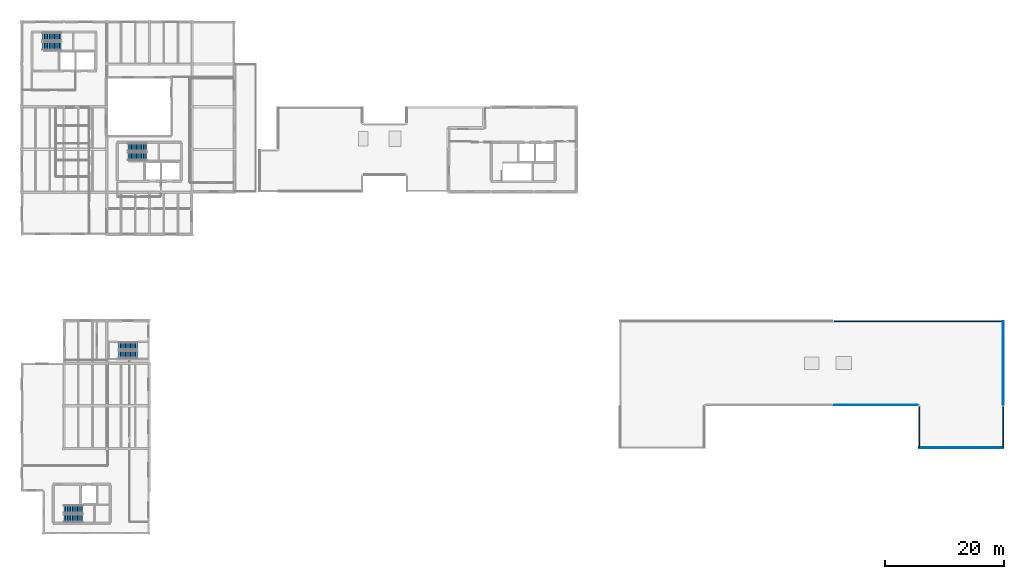
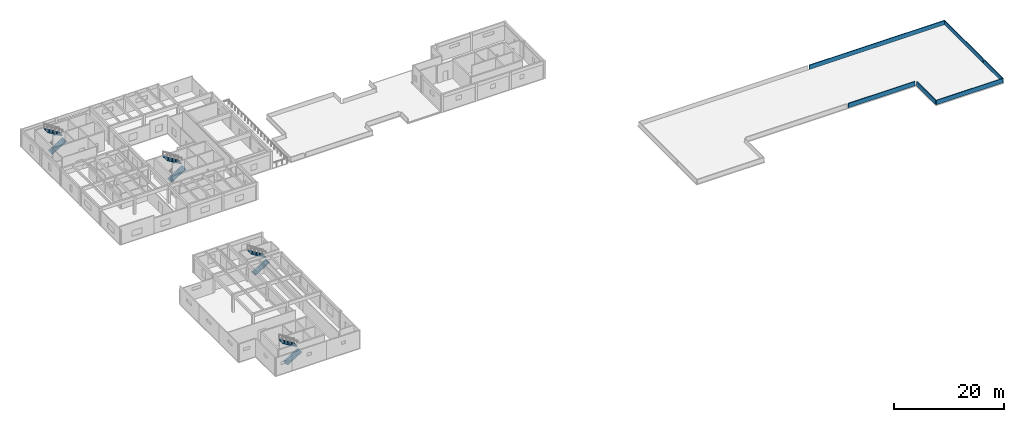
# One storey, part 11 of 15: 8 stair flights, 6 walls, 4 elements without a shape of their own.
"""IFC4 building model written with IfcOpenShell, lengths in metres."""

from ifc_helpers import new_model, si_unit, direction, frame, frame_2d, origin, place, context, subcontext, project, spatial, polyline, rectangle, outline, extrude, material, layer, layer_set, type_object, element, aggregate, save


model = new_model("IFC4")

# Units and contexts
model_context = context("Model", 3, precision=1e-05, world=origin(), true_north=direction((0.0, 1.0)))
body_context = subcontext(model_context, "Body", "Model", "MODEL_VIEW")
ifc_project = project(units=[si_unit("LENGTHUNIT", "METRE"), si_unit("AREAUNIT", "SQUARE_METRE"), si_unit("VOLUMEUNIT", "CUBIC_METRE"), si_unit("PLANEANGLEUNIT", "RADIAN"), si_unit("MASSUNIT", "GRAM", prefix="KILO")], contexts=[model_context])

# Site, building, storey
site_placement = place(None, origin())
site = spatial("IfcSite", under=ifc_project, at=site_placement, CompositionType="ELEMENT")
building_placement = place(site_placement, origin())
building = spatial("IfcBuilding", under=site, at=building_placement, Name="Bramvelor Terrace Health Centre", CompositionType="ELEMENT")
storey_placement = place(building_placement, frame((0.0, 0.0, 13.5)))
storey = spatial("IfcBuildingStorey", under=building, at=storey_placement, Name="L04", CompositionType="ELEMENT", Elevation=13.5)

# Walls
ifc_material_1 = material(Name="Precast concrete C40/50", Category="concrete")
ifc_layer_1 = layer(ifc_material_1, 0.155029296875)
ifc_layer_set_1 = layer_set([ifc_layer_1], Name="Precast concrete C40/50")
wall_type_1 = type_object("IfcWallType", Name="WL-PAR-155", PredefinedType="PARAPET", material=ifc_layer_set_1)
wall_1_placement = place(storey_placement, frame((151.0400390625, 50.5400390625, 0.0), z_axis=(0.0, 0.0, 1.0), x_axis=(-1.0, 0.0, 0.0)))
element("IfcWall", 1, at=wall_1_placement, inside=storey, type_object=wall_type_1, Name="L04 Roof Parapet Upstand 7", PredefinedType="PARAPET", context=body_context, shape_type="SweptSolid", body=[
    extrude(rectangle(XDim=14.080078125, YDim=0.155029296875, at=frame_2d((7.0400390625, 0.0))), origin(), (0.0, 0.0, 1.0), 0.949951171875),
])
for number, where, z_axis, x_axis, name in (
    (2, (165.4599609375, 64.639892578125, 0.0), (0.0, 0.0, 1.0), (0.0, -1.0, 0.0), "L04 Roof Parapet Upstand 15"),
    (3, (165.43994140625, 43.340087890625, 0.0), (0.0, 0.0, 1.0), (-1.0, 0.0, 0.0), "L04 Roof Parapet Upstand 17"),
):
    element("IfcWall", number, at=place(storey_placement, frame(where, z_axis=z_axis, x_axis=x_axis)), inside=storey, type_object=wall_type_1, Name=name, PredefinedType="PARAPET", context=body_context, shape_type="SweptSolid", body=[
        extrude(rectangle(XDim=14.079833984375, YDim=0.155029296875, at=frame_2d((7.0400390625, 0.0))), origin(), (0.0, 0.0, 1.0), 0.949951171875),
    ])
ifc_material_2 = material(Name="Precast concrete C40/50", Category="concrete")
ifc_layer_2 = layer(ifc_material_2, 0.175048828125)
ifc_layer_set_2 = layer_set([ifc_layer_2], Name="Precast concrete C40/50")
wall_type_2 = type_object("IfcWallType", Name="WL-PAR-175", PredefinedType="PARAPET", material=ifc_layer_set_2)
wall_2_placement = place(storey_placement, frame((136.9599609375, 64.659912109375, 0.0), z_axis=(0.0, 0.0, 1.0), x_axis=(1.0, 0.0, 0.0)))
element("IfcWall", 4, at=wall_2_placement, inside=storey, type_object=wall_type_2, Name="L04 Roof Parapet Upstand 14", PredefinedType="PARAPET", context=body_context, shape_type="SweptSolid", body=[
    extrude(rectangle(XDim=28.47998046875, YDim=0.175048828125, at=frame_2d((14.239990234375, 0.0))), origin(), (0.0, 0.0, 1.0), 0.949951171875),
])
for number, where, z_axis, x_axis, name in (
    (5, (165.4599609375, 50.239990234375, 0.0), (0.0, 0.0, 1.0), (0.0, -1.0, 0.0), "L04 Roof Parapet Upstand 16"),
    (6, (151.340087890625, 43.360107421875, 0.0), (0.0, 0.0, 1.0), (0.0, 1.0, 0.0), "L04 Roof Parapet Upstand 18"),
):
    element("IfcWall", number, at=place(storey_placement, frame(where, z_axis=z_axis, x_axis=x_axis)), inside=storey, type_object=wall_type_2, Name=name, PredefinedType="PARAPET", context=body_context, shape_type="SweptSolid", body=[
        extrude(rectangle(XDim=6.8798828125, YDim=0.175048828125, at=frame_2d((3.43994140625, 0.0))), origin(), (0.0, 0.0, 1.0), 0.949951171875),
    ])

# Stair, stair flights
ifc_material_3 = material(Name="Concrete C40/50", Category="concrete")
stair_type_1 = type_object("IfcStairType", Name="STR-CORE", PredefinedType="HALF_TURN_STAIR", material=ifc_material_3)
stair_1_placement = place(storey_placement, origin())
stair_1 = element("IfcStair", 7, at=stair_1_placement, inside=storey, type_object=stair_type_1, Name="L04 C1 Primary Fire Stair", PredefinedType="HALF_TURN_STAIR")
ifc_material_4 = material(Name="Concrete C40/50", Category="concrete")
stair_flight_type_1 = type_object("IfcStairFlightType", Name="STRF-CORE", PredefinedType="STRAIGHT", material=ifc_material_4)
stair_flight_1_placement = place(storey_placement, frame((3.60009765625, 111.02490234375, 0.0), z_axis=(0.0, 0.0, 1.0), x_axis=(1.0, 0.0, 0.0)))
stair_flight_1 = element("IfcStairFlight", 8, at=stair_flight_1_placement, type_object=stair_flight_type_1, Name="ST-1 flight 1", NumberOfRisers=12, NumberOfTreads=11, PredefinedType="STRAIGHT", RiserHeight=0.175, TreadLength=0.285, context=body_context, shape_type="SweptSolid", body=[
    extrude(outline(polyline([(0.0, 0.0), (0.0, 0.175048828125), (0.284912109375, 0.175048828125), (0.284912109375, 0.35009765625), (0.570068359375, 0.35009765625), (0.570068359375, 0.52490234375), (0.85498046875, 0.52490234375), (0.85498046875, 0.699951171875), (1.139892578125, 0.699951171875), (1.139892578125, 0.875), (1.425048828125, 0.875), (1.425048828125, 1.050048828125), (1.7099609375, 1.050048828125), (1.7099609375, 1.22509765625), (1.9951171875, 1.22509765625), (1.9951171875, 1.39990234375), (2.280029296875, 1.39990234375), (2.280029296875, 1.574951171875), (2.56494140625, 1.574951171875), (2.56494140625, 1.75), (2.85009765625, 1.75), (2.85009765625, 1.925048828125), (3.135009765625, 1.925048828125), (3.135009765625, 2.10009765625), (3.135009765625, 1.7490234375), (0.286376953125, 0.0), (0.0, 0.0)])), frame((0.0, 0.675048828125, 0.0), z_axis=(0.0, -1.0, 0.0), x_axis=(1.0, 0.0, 0.0)), (0.0, 0.0, 1.0), 1.35009765625),
])
stair_flight_2_placement = place(storey_placement, frame((6.735107421875, 112.574951171875, 2.10009765625), z_axis=(0.0, 0.0, 1.0), x_axis=(-1.0, 0.0, 0.0)))
stair_flight_2 = element("IfcStairFlight", 9, at=stair_flight_2_placement, type_object=stair_flight_type_1, Name="ST-1 flight 2", NumberOfRisers=12, NumberOfTreads=11, PredefinedType="STRAIGHT", RiserHeight=0.175, TreadLength=0.285, context=body_context, shape_type="SweptSolid", body=[
    extrude(outline(polyline([(0.0, 0.0), (0.0, 0.175048828125), (0.284912109375, 0.175048828125), (0.284912109375, 0.35009765625), (0.570068359375, 0.35009765625), (0.570068359375, 0.52490234375), (0.85498046875, 0.52490234375), (0.85498046875, 0.699951171875), (1.139892578125, 0.699951171875), (1.139892578125, 0.875), (1.425048828125, 0.875), (1.425048828125, 1.050048828125), (1.7099609375, 1.050048828125), (1.7099609375, 1.22509765625), (1.9951171875, 1.22509765625), (1.9951171875, 1.39990234375), (2.280029296875, 1.39990234375), (2.280029296875, 1.574951171875), (2.56494140625, 1.574951171875), (2.56494140625, 1.75), (2.85009765625, 1.75), (2.85009765625, 1.925048828125), (3.135009765625, 1.925048828125), (3.135009765625, 2.10009765625), (3.135009765625, 1.7490234375), (0.286376953125, 0.0), (0.0, 0.0)])), frame((0.0, 0.675048828125, 0.0), z_axis=(0.0, -1.0, 0.0), x_axis=(1.0, 0.0, 0.0)), (0.0, 0.0, 1.0), 1.35009765625),
])
aggregate(stair_1, [stair_flight_1, stair_flight_2])

stair_2_placement = place(storey_placement, origin())
stair_2 = element("IfcStair", 10, at=stair_2_placement, inside=storey, type_object=stair_type_1, Name="L04 C2 Primary Fire Stair", PredefinedType="HALF_TURN_STAIR")
stair_flight_3_placement = place(storey_placement, frame((18.0, 92.425048828125, 0.0), z_axis=(0.0, 0.0, 1.0), x_axis=(1.0, 0.0, 0.0)))
stair_flight_3 = element("IfcStairFlight", 11, at=stair_flight_3_placement, type_object=stair_flight_type_1, Name="ST-2 flight 1", NumberOfRisers=12, NumberOfTreads=11, PredefinedType="STRAIGHT", RiserHeight=0.175, TreadLength=0.285, context=body_context, shape_type="SweptSolid", body=[
    extrude(outline(polyline([(0.0, 0.0), (0.0, 0.175048828125), (0.284912109375, 0.175048828125), (0.284912109375, 0.35009765625), (0.570068359375, 0.35009765625), (0.570068359375, 0.52490234375), (0.85498046875, 0.52490234375), (0.85498046875, 0.699951171875), (1.139892578125, 0.699951171875), (1.139892578125, 0.875), (1.425048828125, 0.875), (1.425048828125, 1.050048828125), (1.7099609375, 1.050048828125), (1.7099609375, 1.22509765625), (1.9951171875, 1.22509765625), (1.9951171875, 1.39990234375), (2.280029296875, 1.39990234375), (2.280029296875, 1.574951171875), (2.56494140625, 1.574951171875), (2.56494140625, 1.75), (2.85009765625, 1.75), (2.85009765625, 1.925048828125), (3.135009765625, 1.925048828125), (3.135009765625, 2.10009765625), (3.135009765625, 1.7490234375), (0.286376953125, 0.0), (0.0, 0.0)])), frame((0.0, 0.675048828125, 0.0), z_axis=(0.0, -1.0, 0.0), x_axis=(1.0, 0.0, 0.0)), (0.0, 0.0, 1.0), 1.35009765625),
])
stair_flight_4_placement = place(storey_placement, frame((21.135009765625, 93.97509765625, 2.10009765625), z_axis=(0.0, 0.0, 1.0), x_axis=(-1.0, 0.0, 0.0)))
stair_flight_4 = element("IfcStairFlight", 12, at=stair_flight_4_placement, type_object=stair_flight_type_1, Name="ST-2 flight 2", NumberOfRisers=12, NumberOfTreads=11, PredefinedType="STRAIGHT", RiserHeight=0.175, TreadLength=0.285, context=body_context, shape_type="SweptSolid", body=[
    extrude(outline(polyline([(0.0, 0.0), (0.0, 0.175048828125), (0.284912109375, 0.175048828125), (0.284912109375, 0.35009765625), (0.570068359375, 0.35009765625), (0.570068359375, 0.52490234375), (0.85498046875, 0.52490234375), (0.85498046875, 0.699951171875), (1.139892578125, 0.699951171875), (1.139892578125, 0.875), (1.425048828125, 0.875), (1.425048828125, 1.050048828125), (1.7099609375, 1.050048828125), (1.7099609375, 1.22509765625), (1.9951171875, 1.22509765625), (1.9951171875, 1.39990234375), (2.280029296875, 1.39990234375), (2.280029296875, 1.574951171875), (2.56494140625, 1.574951171875), (2.56494140625, 1.75), (2.85009765625, 1.75), (2.85009765625, 1.925048828125), (3.135009765625, 1.925048828125), (3.135009765625, 2.10009765625), (3.135009765625, 1.7490234375), (0.286376953125, 0.0), (0.0, 0.0)])), frame((0.0, 0.675048828125, 0.0), z_axis=(0.0, -1.0, 0.0), x_axis=(1.0, 0.0, 0.0)), (0.0, 0.0, 1.0), 1.35009765625),
])
aggregate(stair_2, [stair_flight_3, stair_flight_4])

stair_3_placement = place(storey_placement, origin())
stair_3 = element("IfcStair", 13, at=stair_3_placement, inside=storey, type_object=stair_type_1, Name="L04 C3 Primary Fire Stair", PredefinedType="HALF_TURN_STAIR")
stair_flight_5_placement = place(storey_placement, frame((7.199951171875, 31.425048828125, 0.0), z_axis=(0.0, 0.0, 1.0), x_axis=(1.0, 0.0, 0.0)))
stair_flight_5 = element("IfcStairFlight", 14, at=stair_flight_5_placement, type_object=stair_flight_type_1, Name="ST-3 flight 1", NumberOfRisers=12, NumberOfTreads=11, PredefinedType="STRAIGHT", RiserHeight=0.175, TreadLength=0.285, context=body_context, shape_type="SweptSolid", body=[
    extrude(outline(polyline([(0.0, 0.0), (0.0, 0.175048828125), (0.284912109375, 0.175048828125), (0.284912109375, 0.35009765625), (0.570068359375, 0.35009765625), (0.570068359375, 0.52490234375), (0.85498046875, 0.52490234375), (0.85498046875, 0.699951171875), (1.139892578125, 0.699951171875), (1.139892578125, 0.875), (1.425048828125, 0.875), (1.425048828125, 1.050048828125), (1.7099609375, 1.050048828125), (1.7099609375, 1.22509765625), (1.9951171875, 1.22509765625), (1.9951171875, 1.39990234375), (2.280029296875, 1.39990234375), (2.280029296875, 1.574951171875), (2.56494140625, 1.574951171875), (2.56494140625, 1.75), (2.85009765625, 1.75), (2.85009765625, 1.925048828125), (3.135009765625, 1.925048828125), (3.135009765625, 2.10009765625), (3.135009765625, 1.7490234375), (0.286376953125, 0.0), (0.0, 0.0)])), frame((0.0, 0.675048828125, 0.0), z_axis=(0.0, -1.0, 0.0), x_axis=(1.0, 0.0, 0.0)), (0.0, 0.0, 1.0), 1.35009765625),
])
stair_flight_6_placement = place(storey_placement, frame((10.3349609375, 32.97509765625, 2.10009765625), z_axis=(0.0, 0.0, 1.0), x_axis=(-1.0, 0.0, 0.0)))
stair_flight_6 = element("IfcStairFlight", 15, at=stair_flight_6_placement, type_object=stair_flight_type_1, Name="ST-3 flight 2", NumberOfRisers=12, NumberOfTreads=11, PredefinedType="STRAIGHT", RiserHeight=0.175, TreadLength=0.285, context=body_context, shape_type="SweptSolid", body=[
    extrude(outline(polyline([(0.0, 0.0), (0.0, 0.175048828125), (0.284912109375, 0.175048828125), (0.284912109375, 0.35009765625), (0.570068359375, 0.35009765625), (0.570068359375, 0.52490234375), (0.85498046875, 0.52490234375), (0.85498046875, 0.699951171875), (1.139892578125, 0.699951171875), (1.139892578125, 0.875), (1.425048828125, 0.875), (1.425048828125, 1.050048828125), (1.7099609375, 1.050048828125), (1.7099609375, 1.22509765625), (1.9951171875, 1.22509765625), (1.9951171875, 1.39990234375), (2.280029296875, 1.39990234375), (2.280029296875, 1.574951171875), (2.56494140625, 1.574951171875), (2.56494140625, 1.75), (2.85009765625, 1.75), (2.85009765625, 1.925048828125), (3.135009765625, 1.925048828125), (3.135009765625, 2.10009765625), (3.135009765625, 1.7490234375), (0.286376953125, 0.0), (0.0, 0.0)])), frame((0.0, 0.675048828125, 0.0), z_axis=(0.0, -1.0, 0.0), x_axis=(1.0, 0.0, 0.0)), (0.0, 0.0, 1.0), 1.35009765625),
])
aggregate(stair_3, [stair_flight_5, stair_flight_6])

ifc_material_5 = material(Name="Concrete C40/50", Category="concrete")
stair_type_2 = type_object("IfcStairType", Name="STR-SEC", PredefinedType="HALF_TURN_STAIR", material=ifc_material_5)
stair_4_placement = place(storey_placement, origin())
stair_4 = element("IfcStair", 16, at=stair_4_placement, inside=storey, type_object=stair_type_2, Name="L04 North Pharmacy & Mental Health Exit Stair", PredefinedType="HALF_TURN_STAIR")
ifc_material_6 = material(Name="Concrete C40/50", Category="concrete")
stair_flight_type_2 = type_object("IfcStairFlightType", Name="STRF-SEC", PredefinedType="STRAIGHT", material=ifc_material_6)
stair_flight_7_placement = place(storey_placement, frame((16.419921875, 59.02490234375, 0.0), z_axis=(0.0, 0.0, 1.0), x_axis=(1.0, 0.0, 0.0)))
stair_flight_7 = element("IfcStairFlight", 17, at=stair_flight_7_placement, type_object=stair_flight_type_2, Name="ST-6 flight 1", NumberOfRisers=12, NumberOfTreads=11, PredefinedType="STRAIGHT", RiserHeight=0.175, TreadLength=0.285, context=body_context, shape_type="SweptSolid", body=[
    extrude(outline(polyline([(0.0, 0.0), (0.0, 0.175048828125), (0.284912109375, 0.175048828125), (0.284912109375, 0.35009765625), (0.570068359375, 0.35009765625), (0.570068359375, 0.52490234375), (0.85498046875, 0.52490234375), (0.85498046875, 0.699951171875), (1.139892578125, 0.699951171875), (1.139892578125, 0.875), (1.425048828125, 0.875), (1.425048828125, 1.050048828125), (1.7099609375, 1.050048828125), (1.7099609375, 1.22509765625), (1.9951171875, 1.22509765625), (1.9951171875, 1.39990234375), (2.280029296875, 1.39990234375), (2.280029296875, 1.574951171875), (2.56494140625, 1.574951171875), (2.56494140625, 1.75), (2.85009765625, 1.75), (2.85009765625, 1.925048828125), (3.135009765625, 1.925048828125), (3.135009765625, 2.10009765625), (3.135009765625, 1.7490234375), (0.286376953125, 0.0), (0.0, 0.0)])), frame((0.0, 0.625, 0.0), z_axis=(0.0, -1.0, 0.0), x_axis=(1.0, 0.0, 0.0)), (0.0, 0.0, 1.0), 1.25),
])
stair_flight_8_placement = place(storey_placement, frame((19.554931640625, 60.47509765625, 2.10009765625), z_axis=(0.0, 0.0, 1.0), x_axis=(-1.0, 0.0, 0.0)))
stair_flight_8 = element("IfcStairFlight", 18, at=stair_flight_8_placement, type_object=stair_flight_type_2, Name="ST-6 flight 2", NumberOfRisers=12, NumberOfTreads=11, PredefinedType="STRAIGHT", RiserHeight=0.175, TreadLength=0.285, context=body_context, shape_type="SweptSolid", body=[
    extrude(outline(polyline([(0.0, 0.0), (0.0, 0.175048828125), (0.284912109375, 0.175048828125), (0.284912109375, 0.35009765625), (0.570068359375, 0.35009765625), (0.570068359375, 0.52490234375), (0.85498046875, 0.52490234375), (0.85498046875, 0.699951171875), (1.139892578125, 0.699951171875), (1.139892578125, 0.875), (1.425048828125, 0.875), (1.425048828125, 1.050048828125), (1.7099609375, 1.050048828125), (1.7099609375, 1.22509765625), (1.9951171875, 1.22509765625), (1.9951171875, 1.39990234375), (2.280029296875, 1.39990234375), (2.280029296875, 1.574951171875), (2.56494140625, 1.574951171875), (2.56494140625, 1.75), (2.85009765625, 1.75), (2.85009765625, 1.925048828125), (3.135009765625, 1.925048828125), (3.135009765625, 2.10009765625), (3.135009765625, 1.7490234375), (0.286376953125, 0.0), (0.0, 0.0)])), frame((0.0, 0.625, 0.0), z_axis=(0.0, -1.0, 0.0), x_axis=(1.0, 0.0, 0.0)), (0.0, 0.0, 1.0), 1.25),
])
aggregate(stair_4, [stair_flight_7, stair_flight_8])

save(model, "model.ifc")
